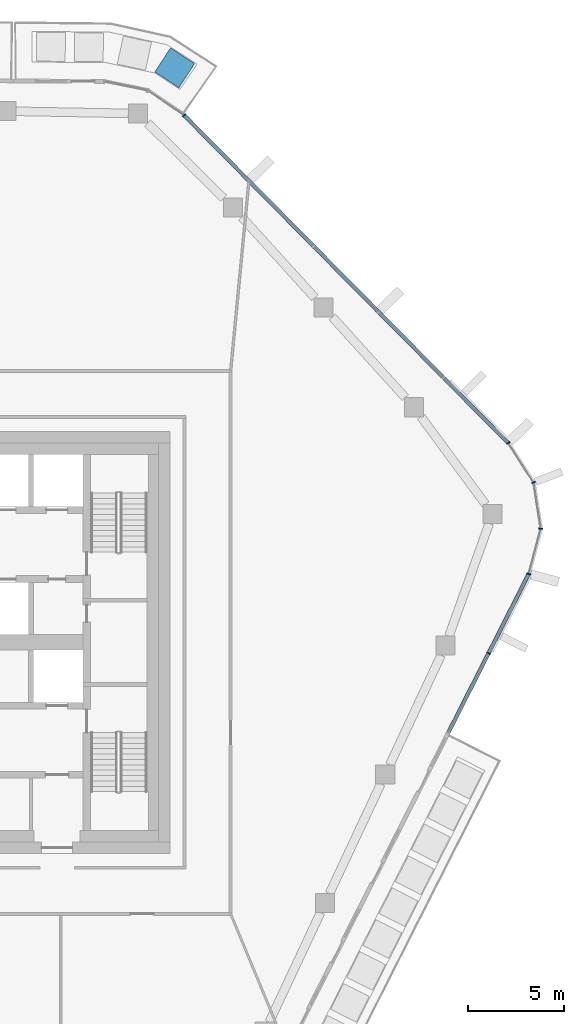
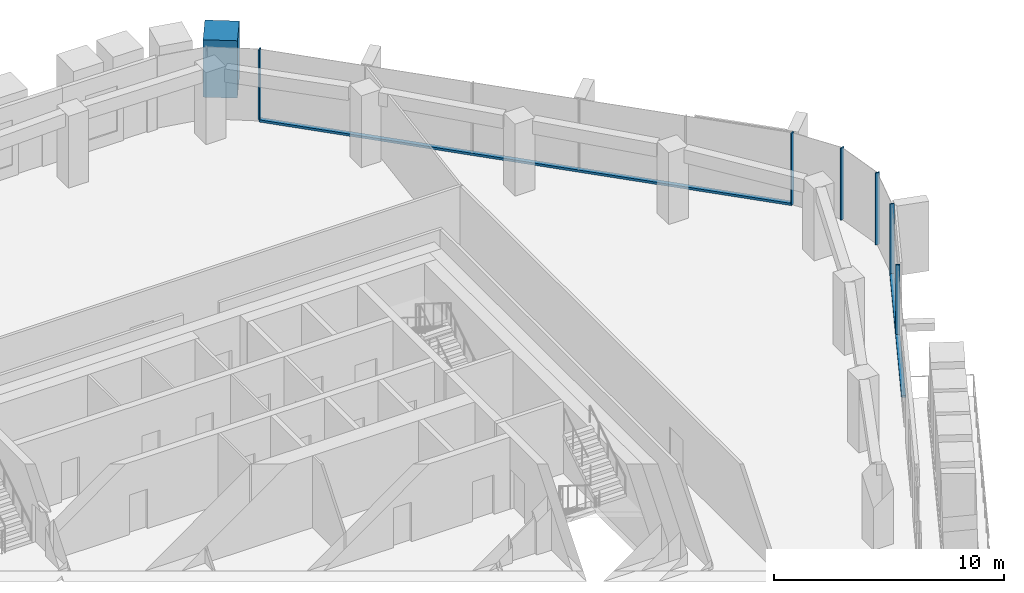
# One storey, part 10 of 23: 9 members, 3 elements without a shape of their own.
"""IFC4 building model written with IfcOpenShell, lengths in metres."""

from ifc_helpers import new_model, si_unit, direction, frame, origin, origin_2d, place, context, subcontext, project, spatial, rectangle, extrude, material, layer, layer_set, material_profile, profile_set, type_object, element, aggregate, save


model = new_model("IFC4")

# Units and contexts
model_context = context("Model", 3, precision=1e-05, world=origin(), true_north=direction((0.0, 1.0)))
body_context = subcontext(model_context, "Body", "Model", "MODEL_VIEW")
ifc_project = project(units=[si_unit("LENGTHUNIT", "METRE"), si_unit("AREAUNIT", "SQUARE_METRE"), si_unit("VOLUMEUNIT", "CUBIC_METRE"), si_unit("PLANEANGLEUNIT", "RADIAN"), si_unit("MASSUNIT", "GRAM", prefix="KILO")], contexts=[model_context])

# Site, building, storey
site_placement = place(None, origin())
site = spatial("IfcSite", under=ifc_project, at=site_placement, CompositionType="ELEMENT")
building_placement = place(site_placement, origin())
building = spatial("IfcBuilding", under=site, at=building_placement, Name="Dongbaek Canopy Tower", CompositionType="ELEMENT")
storey_placement = place(building_placement, frame((0.0, 0.0, 323.60009765625)))
storey = spatial("IfcBuildingStorey", under=building, at=storey_placement, Name="L69", CompositionType="ELEMENT", Elevation=323.60009765625)

# Curtain wall, members
ifc_material_1 = material(Name="Aluminium 6063-T6 pale anodised", Category="aluminium")
ifc_layer = layer(ifc_material_1, 0.199951171875)
ifc_layer_set = layer_set([ifc_layer], Name="CW-1 unitised tower curtain wall")
curtain_wall_type = type_object("IfcCurtainWallType", Name="CW-1 unitised tower curtain wall", PredefinedType="NOTDEFINED", material=ifc_layer_set)
curtain_wall_1_placement = place(storey_placement, origin())
curtain_wall_1 = element("IfcCurtainWall", 1, at=curtain_wall_1_placement, inside=storey, type_object=curtain_wall_type, Name="CW-1 curtain wall K0.1", PredefinedType="NOTDEFINED")
ifc_material_2 = material(Name="Aluminium 6063-T6 pale anodised", Category="aluminium")
ifc_material_profile_1 = material_profile(ifc_material_2, rectangle(XDim=0.199951171875, YDim=0.06005859375, at=origin_2d()), Name="CW-1 mullion 60 x 200")
ifc_profile_set_1 = profile_set([ifc_material_profile_1], Name="Aluminium 6063-T6 pale anodised")
member_type_1 = type_object("IfcMemberType", Name="CW-1 mullion 60 x 200", PredefinedType="MULLION", material=ifc_profile_set_1)
member_1_placement = place(storey_placement, frame((32.68701171875, 3.5625, 0.0), z_axis=(0.0, 0.0, 1.0), x_axis=(0.966173872892, -0.257891541817, 0.0)))
member_1 = element("IfcMember", 2, at=member_1_placement, type_object=member_type_1, Name="CW-1 mullion K0.1.1", PredefinedType="MULLION", context=body_context, shape_type="SweptSolid", body=[
    extrude(rectangle(XDim=0.199951171875, YDim=0.06005859375, at=origin_2d()), origin(), (0.0, 0.0, 1.0), 3.81982421875),
])
member_2_placement = place(storey_placement, frame((33.318359375, 5.927734375, 0.0), z_axis=(0.0, 0.0, 1.0), x_axis=(0.998611357657, -0.052681651057, 0.0)))
member_2 = element("IfcMember", 3, at=member_2_placement, type_object=member_type_1, Name="CW-1 mullion K0.1.2", PredefinedType="MULLION", context=body_context, shape_type="SweptSolid", body=[
    extrude(rectangle(XDim=0.199951171875, YDim=0.06005859375, at=origin_2d()), origin(), (0.0, 0.0, 1.0), 3.81982421875),
])
member_3_placement = place(storey_placement, frame((32.941162109375, 8.335693359375, 0.0), z_axis=(0.0, 0.0, 1.0), x_axis=(0.934636647139, 0.355604187018, 0.0)))
member_3 = element("IfcMember", 4, at=member_3_placement, type_object=member_type_1, Name="CW-1 mullion K0.1.3", PredefinedType="MULLION", context=body_context, shape_type="SweptSolid", body=[
    extrude(rectangle(XDim=0.199951171875, YDim=0.06005859375, at=origin_2d()), origin(), (0.0, 0.0, 1.0), 3.81982421875),
])
member_4_placement = place(storey_placement, frame((31.61669921875, 10.394287109375, 0.0), z_axis=(0.0, 0.0, 1.0), x_axis=(0.840985810818, 0.54105717443, 0.0)))
member_4 = element("IfcMember", 5, at=member_4_placement, type_object=member_type_1, Name="CW-1 mullion K0.1.4", PredefinedType="MULLION", context=body_context, shape_type="SweptSolid", body=[
    extrude(rectangle(XDim=0.199951171875, YDim=0.06005859375, at=origin_2d()), origin(), (0.0, 0.0, 1.0), 3.81982421875),
])
aggregate(curtain_wall_1, [member_1, member_2, member_3, member_4])

# Curtain wall, member
curtain_wall_2_placement = place(storey_placement, origin())
curtain_wall_2 = element("IfcCurtainWall", 6, at=curtain_wall_2_placement, inside=storey, type_object=curtain_wall_type, Name="CW-1 curtain wall F0.1", PredefinedType="NOTDEFINED")
member_5_placement = place(storey_placement, frame((14.72802734375, 27.47216796875, 0.119873046875), z_axis=(0.0, 0.0, 1.0), x_axis=(0.711035260325, 0.703156354287, 0.0)))
member_5 = element("IfcMember", 7, at=member_5_placement, type_object=member_type_1, Name="CW-1 mullion F0.1.6", PredefinedType="MULLION", context=body_context, shape_type="SweptSolid", body=[
    extrude(rectangle(XDim=0.199951171875, YDim=0.06005859375, at=origin_2d()), origin(), (0.0, 0.0, 1.0), 3.699951171875),
])

curtain_wall_3_placement = place(storey_placement, origin())
curtain_wall_3 = element("IfcCurtainWall", 8, at=curtain_wall_3_placement, inside=storey, type_object=curtain_wall_type, Name="CW-1 curtain wall F5.1", PredefinedType="NOTDEFINED")
member_6_placement = place(storey_placement, frame((30.593505859375, -0.569580078125, 0.119873046875), z_axis=(0.0, 0.0, 1.0), x_axis=(0.892033145359, -0.451969985266, 0.0)))
member_6 = element("IfcMember", 9, at=member_6_placement, type_object=member_type_1, Name="CW-1 mullion F5.1.2", PredefinedType="MULLION", context=body_context, shape_type="SweptSolid", body=[
    extrude(rectangle(XDim=0.199951171875, YDim=0.06005859375, at=origin_2d()), origin(), (0.0, 0.0, 1.0), 3.699951171875),
])

# Member
ifc_material_3 = material(Name="Aluminium 6063-T6 pale anodised", Category="aluminium")
ifc_material_profile_2 = material_profile(ifc_material_3, rectangle(XDim=0.199951171875, YDim=0.1201171875, at=origin_2d()), Name="CW-1 transom 120 x 200")
ifc_profile_set_2 = profile_set([ifc_material_profile_2], Name="Aluminium 6063-T6 pale anodised")
member_type_2 = type_object("IfcMemberType", Name="CW-1 transom 120 x 200", PredefinedType="USERDEFINED", material=ifc_profile_set_2)
member_7_placement = place(storey_placement, frame((31.61669921875, 10.394287109375, 0.059814453125), z_axis=(-0.703156968837, 0.711034652584, 0.0), x_axis=(-0.711034652584, -0.703156968837, 0.0)))
member_7 = element("IfcMember", 10, at=member_7_placement, type_object=member_type_2, Name="CW-1 transom F0.1.1", ObjectType="TRANSOM", PredefinedType="USERDEFINED", context=body_context, shape_type="SweptSolid", body=[
    extrude(rectangle(XDim=0.199951171875, YDim=0.1201171875, at=origin_2d()), origin(), (0.0, 0.0, 1.0), 24.018310546875),
])

aggregate(curtain_wall_2, [member_5, member_7])

member_8_placement = place(storey_placement, frame((28.495361328125, -4.710693359375, 0.059814453125), z_axis=(0.451956135194, 0.892040162695, 0.0), x_axis=(-0.892040162695, 0.451956135194, 0.0)))
member_8 = element("IfcMember", 11, at=member_8_placement, type_object=member_type_2, Name="CW-1 transom F5.1.1", ObjectType="TRANSOM", PredefinedType="USERDEFINED", context=body_context, shape_type="SweptSolid", body=[
    extrude(rectangle(XDim=0.199951171875, YDim=0.1201171875, at=origin_2d()), origin(), (0.0, 0.0, 1.0), 9.2744140625),
])

aggregate(curtain_wall_3, [member_6, member_8])

ifc_material_4 = material(Name="Concrete C40/50 planter mass with planting", Category="concrete")
ifc_material_profile_3 = material_profile(ifc_material_4, rectangle(XDim=1.5, YDim=1.5, at=origin_2d()), Name="Terrace PLANTER shrub mass 1500 x 1500")
ifc_profile_set_3 = profile_set([ifc_material_profile_3], Name="Concrete C40/50 planter mass with planting")
member_type_3 = type_object("IfcMemberType", Name="Terrace PLANTER shrub mass 1500 x 1500", PredefinedType="USERDEFINED", material=ifc_profile_set_3)
member_9_placement = place(storey_placement, frame((14.234619140625, 29.948486328125, 0.419921875), z_axis=(0.0, 0.0, 1.0), x_axis=(0.54494899616, 0.83846919537, 0.0)))
element("IfcMember", 12, at=member_9_placement, inside=storey, type_object=member_type_3, Name="Planter shrubs L69 5.1", ObjectType="PLANTER", PredefinedType="USERDEFINED", context=body_context, shape_type="SweptSolid", body=[
    extrude(rectangle(XDim=1.5, YDim=1.5, at=origin_2d()), origin(), (0.0, 0.0, 1.0), 3.050048828125),
])

save(model, "model.ifc")
